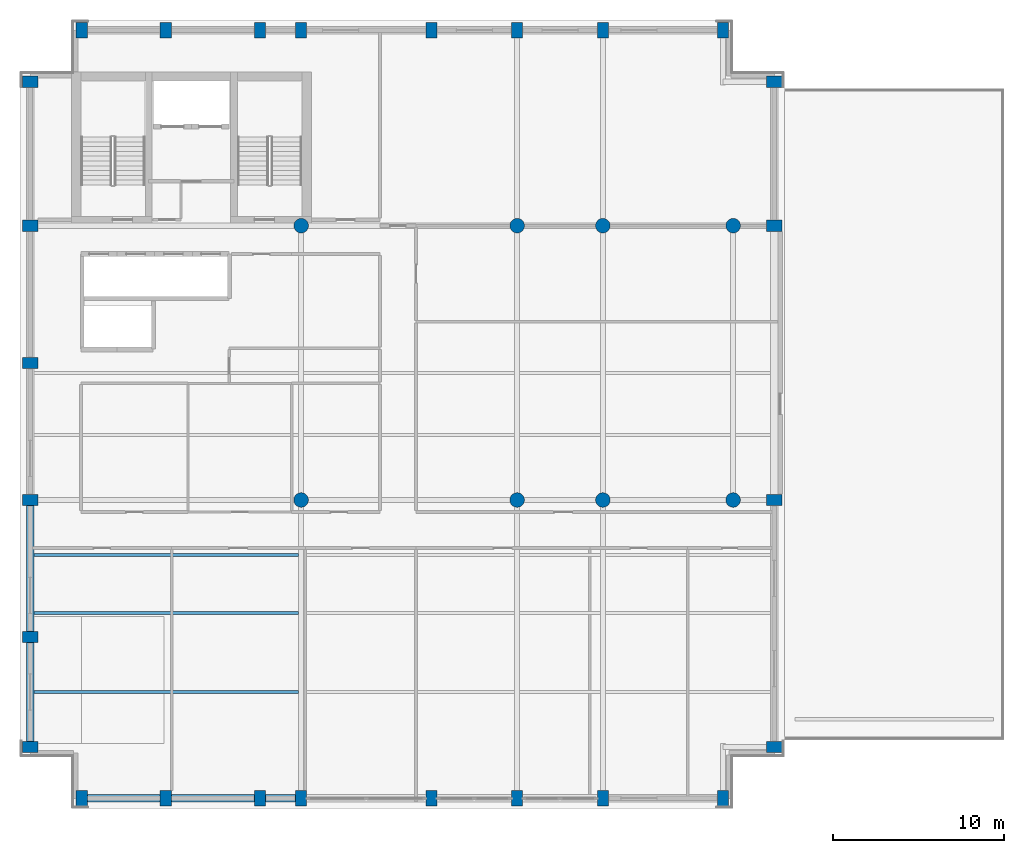
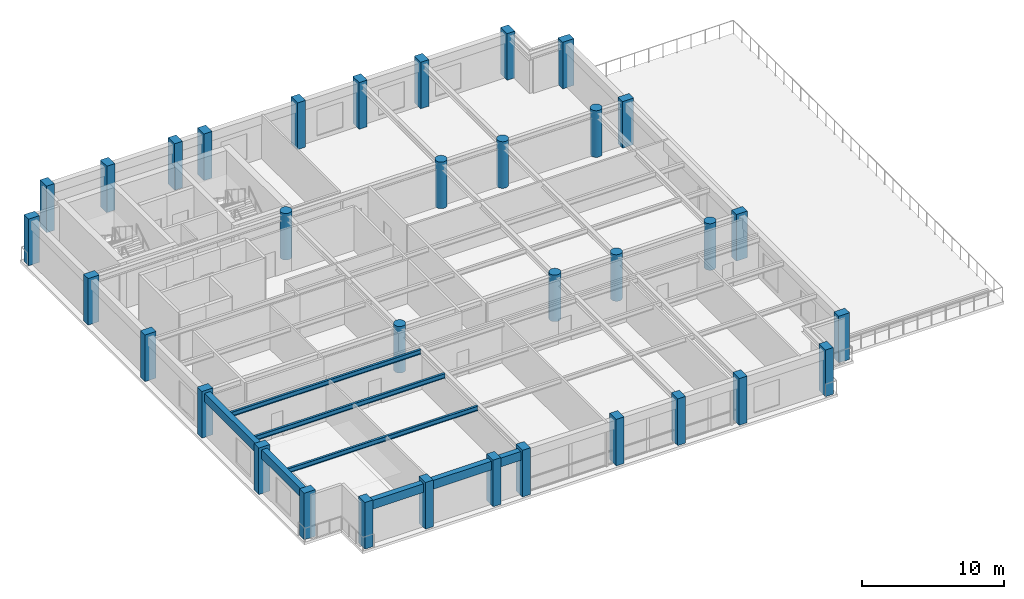
# One storey, part 1 of 9: 34 columns, 8 beams.
"""IFC4 building model written with IfcOpenShell, lengths in metres."""

from ifc_helpers import new_model, si_unit, direction, frame, origin, origin_2d, place, context, subcontext, project, spatial, rectangle, circle, i_section, extrude, material, material_profile, profile_set, type_object, element, save


model = new_model("IFC4")

# Units and contexts
model_context = context("Model", 3, precision=1e-05, world=origin(), true_north=direction((0.0, 1.0)))
body_context = subcontext(model_context, "Body", "Model", "MODEL_VIEW")
ifc_project = project(units=[si_unit("LENGTHUNIT", "METRE"), si_unit("AREAUNIT", "SQUARE_METRE"), si_unit("VOLUMEUNIT", "CUBIC_METRE"), si_unit("PLANEANGLEUNIT", "RADIAN"), si_unit("MASSUNIT", "GRAM", prefix="KILO")], contexts=[model_context])

# Site, building, storey
site_placement = place(None, origin())
site = spatial("IfcSite", under=ifc_project, at=site_placement, CompositionType="ELEMENT")
building_placement = place(site_placement, origin())
building = spatial("IfcBuilding", under=site, at=building_placement, Name="Sulina Concourse Tower", CompositionType="ELEMENT")
storey_placement = place(building_placement, frame((0.0, 0.0, 289.0)))
storey = spatial("IfcBuildingStorey", under=building, at=storey_placement, Name="L70", CompositionType="ELEMENT", Elevation=289.0)

# Columns
ifc_material_1 = material(Name="Precast concrete C50/60", Category="concrete")
ifc_material_profile_1 = material_profile(ifc_material_1, rectangle(XDim=0.64990234375, YDim=0.89990234375, at=origin_2d()), Name="PC 650x900")
ifc_profile_set_1 = profile_set([ifc_material_profile_1], Name="Precast concrete C50/60")
column_type_1 = type_object("IfcColumnType", Name="Precast Stepped Crown Pier 650x900", PredefinedType="COLUMN", material=ifc_profile_set_1)
for number, where, z_axis, x_axis, name in (
    (1, (3.60009765625, 0.60009765625, 0.0), (0.0, 0.0, 1.0), (1.0, 0.0, 0.0), "L70 structural column TP-S-36"),
    (2, (3.60009765625, 45.39990234375, 0.0), (0.0, 0.0, 1.0), (1.0, 0.0, 0.0), "L70 structural column TP-N-36"),
    (3, (8.5, 0.60009765625, 0.0), (0.0, 0.0, 1.0), (1.0, 0.0, 0.0), "L70 structural column TP-S-85"),
    (4, (8.5, 45.39990234375, 0.0), (0.0, 0.0, 1.0), (1.0, 0.0, 0.0), "L70 structural column TP-N-85"),
    (5, (14.0, 0.60009765625, 0.0), (0.0, 0.0, 1.0), (1.0, 0.0, 0.0), "L70 structural column TP-S-140"),
    (6, (14.0, 45.39990234375, 0.0), (0.0, 0.0, 1.0), (1.0, 0.0, 0.0), "L70 structural column TP-N-140"),
    (7, (16.39990234375, 0.60009765625, 0.0), (0.0, 0.0, 1.0), (1.0, 0.0, 0.0), "L70 structural column TP-S-164"),
    (8, (16.39990234375, 45.39990234375, 0.0), (0.0, 0.0, 1.0), (1.0, 0.0, 0.0), "L70 structural column TP-N-164"),
    (9, (24.0, 0.60009765625, 0.0), (0.0, 0.0, 1.0), (1.0, 0.0, 0.0), "L70 structural column TP-S-240"),
    (10, (24.0, 45.39990234375, 0.0), (0.0, 0.0, 1.0), (1.0, 0.0, 0.0), "L70 structural column TP-N-240"),
    (11, (29.0, 0.60009765625, 0.0), (0.0, 0.0, 1.0), (1.0, 0.0, 0.0), "L70 structural column TP-S-290"),
    (12, (29.0, 45.39990234375, 0.0), (0.0, 0.0, 1.0), (1.0, 0.0, 0.0), "L70 structural column TP-N-290"),
    (13, (34.0, 0.60009765625, 0.0), (0.0, 0.0, 1.0), (1.0, 0.0, 0.0), "L70 structural column TP-S-340"),
    (14, (34.0, 45.39990234375, 0.0), (0.0, 0.0, 1.0), (1.0, 0.0, 0.0), "L70 structural column TP-N-340"),
    (15, (41.0, 0.60009765625, 0.0), (0.0, 0.0, 1.0), (1.0, 0.0, 0.0), "L70 structural column TP-SC-410"),
    (16, (41.0, 45.39990234375, 0.0), (0.0, 0.0, 1.0), (1.0, 0.0, 0.0), "L70 structural column TP-NC-410"),
    (17, (0.60009765625, 3.60009765625, 0.0), (0.0, 0.0, 1.0), (0.0, 1.0, 0.0), "L70 structural column TP-W-36"),
    (18, (44.0, 3.60009765625, 0.0), (0.0, 0.0, 1.0), (0.0, 1.0, 0.0), "L70 structural column TP-E-36"),
    (19, (0.60009765625, 10.0, 0.0), (0.0, 0.0, 1.0), (0.0, 1.0, 0.0), "L70 structural column TP-W-100"),
    (20, (0.60009765625, 18.0, 0.0), (0.0, 0.0, 1.0), (0.0, 1.0, 0.0), "L70 structural column TP-W-180"),
    (21, (44.0, 18.0, 0.0), (0.0, 0.0, 1.0), (0.0, 1.0, 0.0), "L70 structural column TP-E-180"),
    (22, (0.60009765625, 26.0, 0.0), (0.0, 0.0, 1.0), (0.0, 1.0, 0.0), "L70 structural column TP-W-260"),
    (23, (0.60009765625, 34.0, 0.0), (0.0, 0.0, 1.0), (0.0, 1.0, 0.0), "L70 structural column TP-W-340"),
    (24, (44.0, 34.0, 0.0), (0.0, 0.0, 1.0), (0.0, 1.0, 0.0), "L70 structural column TP-E-340"),
    (25, (0.60009765625, 42.39990234375, 0.0), (0.0, 0.0, 1.0), (0.0, 1.0, 0.0), "L70 structural column TP-W-424"),
    (26, (44.0, 42.39990234375, 0.0), (0.0, 0.0, 1.0), (0.0, 1.0, 0.0), "L70 structural column TP-E-424"),
):
    element("IfcColumn", number, at=place(storey_placement, frame(where, z_axis=z_axis, x_axis=x_axis)), inside=storey, type_object=column_type_1, Name=name, PredefinedType="COLUMN", context=body_context, shape_type="SweptSolid", body=[
        extrude(rectangle(XDim=0.64990234375, YDim=0.89990234375, at=origin_2d()), origin(), (0.0, 0.0, 1.0), 4.0),
    ])
ifc_material_2 = material(Name="Concrete C50/60", Category="concrete")
ifc_material_profile_2 = material_profile(ifc_material_2, circle(Radius=0.425048828125, at=origin_2d()), Name="RC D850")
ifc_profile_set_2 = profile_set([ifc_material_profile_2], Name="Concrete C50/60")
column_type_2 = type_object("IfcColumnType", Name="Upper Interior Circular Column D850", PredefinedType="COLUMN", material=ifc_profile_set_2)
for number, where, z_axis, x_axis, name in (
    (27, (16.39990234375, 18.0, 0.0), (0.0, 0.0, 1.0), (1.0, 0.0, 0.0), "L70 structural column IC-M-164"),
    (28, (16.39990234375, 34.0, 0.0), (0.0, 0.0, 1.0), (1.0, 0.0, 0.0), "L70 structural column IC-N-164"),
    (29, (29.0, 18.0, 0.0), (0.0, 0.0, 1.0), (1.0, 0.0, 0.0), "L70 structural column IC-M-290"),
    (30, (29.0, 34.0, 0.0), (0.0, 0.0, 1.0), (1.0, 0.0, 0.0), "L70 structural column IC-N-290"),
    (31, (41.60009765625, 18.0, 0.0), (0.0, 0.0, 1.0), (1.0, 0.0, 0.0), "L70 structural column IC-M-416"),
    (32, (41.60009765625, 34.0, 0.0), (0.0, 0.0, 1.0), (1.0, 0.0, 0.0), "L70 structural column IC-N-416"),
    (33, (34.0, 18.0, 0.0), (0.0, 0.0, 1.0), (1.0, 0.0, 0.0), "L70 structural column IC-M-340"),
    (34, (34.0, 34.0, 0.0), (0.0, 0.0, 1.0), (1.0, 0.0, 0.0), "L70 structural column IC-N-340"),
):
    element("IfcColumn", number, at=place(storey_placement, frame(where, z_axis=z_axis, x_axis=x_axis)), inside=storey, type_object=column_type_2, Name=name, PredefinedType="COLUMN", context=body_context, shape_type="SweptSolid", body=[
        extrude(circle(Radius=0.425048828125, at=origin_2d()), origin(), (0.0, 0.0, 1.0), 4.0),
    ])

# Beams
ifc_material_3 = material(Name="Steel S355", Category="steel")
ifc_material_profile_3 = material_profile(ifc_material_3, i_section(OverallWidth=0.179931640625, OverallDepth=0.39990234375, WebThickness=0.008544921875, FlangeThickness=0.013427734375, at=origin_2d()), Name="IPE 400")
ifc_profile_set_3 = profile_set([ifc_material_profile_3], Name="Steel S355")
beam_type_1 = type_object("IfcBeamType", Name="Crown & Terrace Joist IPE400", PredefinedType="JOIST", material=ifc_profile_set_3)
for number, where, z_axis, x_axis, name in (
    (35, (0.824951171875, 6.800048828125, 3.574951171875), (1.0, 0.0, 0.0), (0.0, 1.0, 0.0), "FJ-J06-1-L70"),
    (36, (0.824951171875, 11.39990234375, 3.574951171875), (1.0, 0.0, 0.0), (0.0, 1.0, 0.0), "FJ-J11-1-L70"),
    (37, (0.824951171875, 14.800048828125, 3.574951171875), (1.0, 0.0, 0.0), (0.0, 1.0, 0.0), "FJ-J15-1-L70"),
):
    element("IfcBeam", number, at=place(storey_placement, frame(where, z_axis=z_axis, x_axis=x_axis)), inside=storey, type_object=beam_type_1, Name=name, PredefinedType="JOIST", context=body_context, shape_type="SweptSolid", body=[
        extrude(i_section(OverallWidth=0.179931640625, OverallDepth=0.39990234375, WebThickness=0.008544921875, FlangeThickness=0.013427734375, at=origin_2d()), origin(), (0.0, 0.0, 1.0), 15.425048828125),
    ])
ifc_material_4 = material(Name="Precast concrete C50/60", Category="concrete")
ifc_material_profile_4 = material_profile(ifc_material_4, rectangle(XDim=0.449951171875, YDim=0.75, at=origin_2d()), Name="RC 450x750")
ifc_profile_set_4 = profile_set([ifc_material_profile_4], Name="Precast concrete C50/60")
beam_type_2 = type_object("IfcBeamType", Name="Upper Precast Spandrel Edge Beam 450x750", PredefinedType="BEAM", material=ifc_profile_set_4)
beam_1_placement = place(storey_placement, frame((3.905029296875, 0.60009765625, 3.39990234375), z_axis=(1.0, 0.0, 0.0), x_axis=(0.0, 1.0, 0.0)))
element("IfcBeam", 38, at=beam_1_placement, inside=storey, type_object=beam_type_2, Name="SP-S1-L70", PredefinedType="BEAM", context=body_context, shape_type="SweptSolid", body=[
    extrude(rectangle(XDim=0.449951171875, YDim=0.75, at=origin_2d()), origin(), (0.0, 0.0, 1.0), 4.2900390625),
])
beam_2_placement = place(storey_placement, frame((8.804931640625, 0.60009765625, 3.39990234375), z_axis=(1.0, 0.0, 0.0), x_axis=(0.0, 1.0, 0.0)))
element("IfcBeam", 39, at=beam_2_placement, inside=storey, type_object=beam_type_2, Name="SP-S2-L70", PredefinedType="BEAM", context=body_context, shape_type="SweptSolid", body=[
    extrude(rectangle(XDim=0.449951171875, YDim=0.75, at=origin_2d()), origin(), (0.0, 0.0, 1.0), 4.89013671875),
])
beam_3_placement = place(storey_placement, frame((14.304931640625, 0.60009765625, 3.39990234375), z_axis=(1.0, 0.0, 0.0), x_axis=(0.0, 1.0, 0.0)))
element("IfcBeam", 40, at=beam_3_placement, inside=storey, type_object=beam_type_2, Name="SP-S3-L70", PredefinedType="BEAM", context=body_context, shape_type="SweptSolid", body=[
    extrude(rectangle(XDim=0.449951171875, YDim=0.75, at=origin_2d()), origin(), (0.0, 0.0, 1.0), 1.7900390625),
])
beam_4_placement = place(storey_placement, frame((0.60009765625, 3.905029296875, 3.39990234375), z_axis=(0.0, 1.0, 0.0), x_axis=(-1.0, 0.0, 0.0)))
element("IfcBeam", 41, at=beam_4_placement, inside=storey, type_object=beam_type_2, Name="SP-W1-L70", PredefinedType="BEAM", context=body_context, shape_type="SweptSolid", body=[
    extrude(rectangle(XDim=0.449951171875, YDim=0.75, at=origin_2d()), origin(), (0.0, 0.0, 1.0), 5.7900390625),
])
beam_5_placement = place(storey_placement, frame((0.60009765625, 10.304931640625, 3.39990234375), z_axis=(0.0, 1.0, 0.0), x_axis=(-1.0, 0.0, 0.0)))
element("IfcBeam", 42, at=beam_5_placement, inside=storey, type_object=beam_type_2, Name="SP-W2-L70", PredefinedType="BEAM", context=body_context, shape_type="SweptSolid", body=[
    extrude(rectangle(XDim=0.449951171875, YDim=0.75, at=origin_2d()), origin(), (0.0, 0.0, 1.0), 7.39013671875),
])

save(model, "model.ifc")
